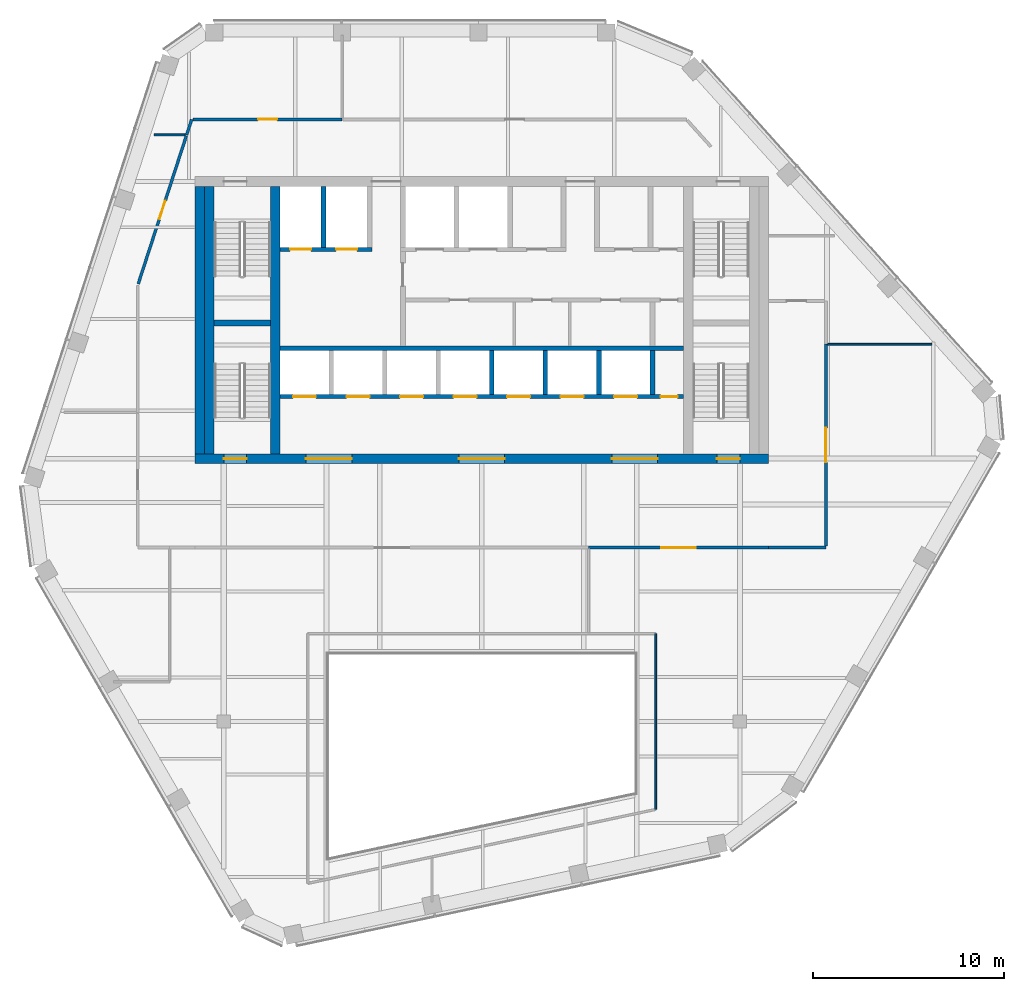
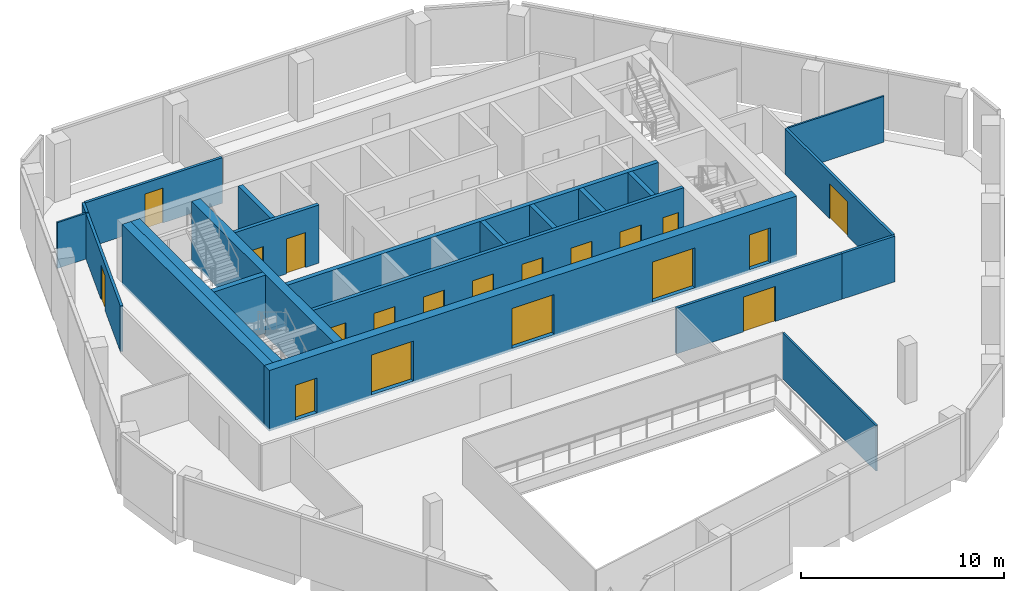
# One storey, part 8 of 15: 22 walls, 19 doors, 19 openings.
"""IFC4 building model written with IfcOpenShell, lengths in metres."""

from ifc_helpers import new_model, si_unit, direction, frame, frame_2d, origin, place, context, subcontext, project, spatial, rectangle, extrude, material, layer, layer_set, type_object, element, fill, save


model = new_model("IFC4")

# Units and contexts
model_context = context("Model", 3, precision=1e-05, world=origin(), true_north=direction((0.0, 1.0)))
body_context = subcontext(model_context, "Body", "Model", "MODEL_VIEW")
ifc_project = project(units=[si_unit("LENGTHUNIT", "METRE"), si_unit("AREAUNIT", "SQUARE_METRE"), si_unit("VOLUMEUNIT", "CUBIC_METRE"), si_unit("PLANEANGLEUNIT", "RADIAN"), si_unit("MASSUNIT", "GRAM", prefix="KILO")], contexts=[model_context])

# Site, building, storey
site_placement = place(None, origin())
site = spatial("IfcSite", under=ifc_project, at=site_placement, CompositionType="ELEMENT")
building_placement = place(site_placement, origin())
building = spatial("IfcBuilding", under=site, at=building_placement, Name="Isthmus Gate Tower", CompositionType="ELEMENT")
storey_placement = place(building_placement, frame((0.0, 0.0, 293.800048828125)))
storey = spatial("IfcBuildingStorey", under=building, at=storey_placement, Name="L75", CompositionType="ELEMENT", Elevation=293.800048828125)

# Wall
ifc_material_1 = material(Name="Fire-rated laminated glass in steel frame", Category="steel")
ifc_layer_1 = layer(ifc_material_1, 0.10009765625)
ifc_layer_set_1 = layer_set([ifc_layer_1], Name="ATRIUM SCREEN GLAZED WALL 100 120 MIN")
wall_type_1 = type_object("IfcWallType", Name="ATRIUM SCREEN GLAZED WALL 100 120 MIN", PredefinedType="PARTITIONING", material=ifc_layer_set_1)
wall_1_placement = place(storey_placement, frame((9.10009765625, -8.89990234375, 0.0), z_axis=(0.0, 0.0, 1.0), x_axis=(0.0, -1.0, 0.0)))
element("IfcWall", 1, at=wall_1_placement, inside=storey, type_object=wall_type_1, Name="L75 atrium screen", PredefinedType="PARTITIONING", context=body_context, shape_type="SweptSolid", body=[
    extrude(rectangle(XDim=9.200927734375, YDim=0.10009765625, at=frame_2d((4.6005859375, 0.0))), origin(), (0.0, 0.0, 1.0), 2.750732421875),
])

# Wall, opening, door
ifc_material_2 = material(Name="Gypsum board on steel studs, fire-rated", Category="steel")
ifc_layer_2 = layer(ifc_material_2, 0.14990234375)
ifc_layer_set_2 = layer_set([ifc_layer_2], Name="CORRIDOR WALL 150 60 MIN")
wall_type_2 = type_object("IfcWallType", Name="CORRIDOR WALL 150 60 MIN", PredefinedType="PARTITIONING", material=ifc_layer_set_2)
wall_2_placement = place(storey_placement, frame((15.0, -4.39990234375, 0.0), z_axis=(0.0, 0.0, 1.0), x_axis=(-1.0, 0.0, 0.0)))
wall_2 = element("IfcWall", 2, at=wall_2_placement, inside=storey, type_object=wall_type_2, Name="L75 Corridor Wall 150 60 Min", PredefinedType="PARTITIONING", context=body_context, shape_type="SweptSolid", body=[
    extrude(rectangle(XDim=9.409912109375, YDim=0.14990234375, at=frame_2d((4.705078125, 0.0))), origin(), (0.0, 0.0, 1.0), 2.750732421875),
])
opening_1_placement = place(wall_2_placement, frame((3.804931640625, 0.0, 0.0)))
opening_1 = element("IfcOpeningElement", 3, at=opening_1_placement, cuts=wall_2, Name="Opening DT-T6D-07", PredefinedType="OPENING", context=body_context, shape_type="SweptSolid", body=[
    extrude(rectangle(XDim=1.800048828125, YDim=2.10009765625, at=frame_2d((0.89990234375, 1.050048828125))), frame((0.0, 0.0849609375, 0.0), z_axis=(0.0, -1.0, 0.0), x_axis=(1.0, 0.0, 0.0)), (0.0, 0.0, 1.0), 0.169921875),
])
ifc_material_3 = material(Name="Solid core timber door leaf, fire-rated", Category="wood")
door_type_1 = type_object("IfcDoorType", Name="FIRE DOOR ROOM 1800 X 2100 60 MIN", OperationType="DOUBLE_DOOR_DOUBLE_SWING", PredefinedType="DOOR", material=ifc_material_3)
door_1_placement = place(opening_1_placement, origin())
door_1 = element("IfcDoor", 4, at=door_1_placement, inside=storey, type_object=door_type_1, Name="L75 room door", OperationType="DOUBLE_DOOR_DOUBLE_SWING", OverallHeight=2.10009765625, OverallWidth=1.800048828125, PredefinedType="DOOR", context=body_context, shape_type="SweptSolid", body=[
    extrude(rectangle(XDim=1.800048828125, YDim=2.10009765625, at=frame_2d((0.89990234375, 1.050048828125))), frame((0.0, 0.02490234375, 0.0), z_axis=(0.0, -1.0, 0.0), x_axis=(1.0, 0.0, 0.0)), (0.0, 0.0, 1.0), 0.050048828125),
])
fill(opening_1, door_1)

# Wall
wall_3_placement = place(storey_placement, frame((18.0, -4.39990234375, 0.0), z_axis=(0.0, 0.0, 1.0), x_axis=(-1.0, 0.0, 0.0)))
element("IfcWall", 5, at=wall_3_placement, inside=storey, type_object=wall_type_2, Name="L75 Corridor Wall 150 60 Min", PredefinedType="PARTITIONING", context=body_context, shape_type="SweptSolid", body=[
    extrude(rectangle(XDim=3.0, YDim=0.14990234375, at=frame_2d((1.5, 0.0))), origin(), (0.0, 0.0, 1.0), 2.750732421875),
])

# Wall, opening, door
wall_4_placement = place(storey_placement, frame((18.0, 6.237060546875, 0.0), z_axis=(0.0, 0.0, 1.0), x_axis=(0.0, -1.0, 0.0)))
wall_4 = element("IfcWall", 6, at=wall_4_placement, inside=storey, type_object=wall_type_2, Name="L75 Corridor Wall 150 60 Min", PredefinedType="PARTITIONING", context=body_context, shape_type="SweptSolid", body=[
    extrude(rectangle(XDim=10.56201171875, YDim=0.14990234375, at=frame_2d((5.281005859375, 0.0))), origin(), (0.0, 0.0, 1.0), 2.750732421875),
])
opening_2_placement = place(wall_4_placement, frame((4.381103515625, 0.0, 0.0)))
opening_2 = element("IfcOpeningElement", 7, at=opening_2_placement, cuts=wall_4, Name="Opening DT-T6D-06", PredefinedType="OPENING", context=body_context, shape_type="SweptSolid", body=[
    extrude(rectangle(XDim=1.800048828125, YDim=2.10009765625, at=frame_2d((0.89990234375, 1.050048828125))), frame((0.0, 0.0849609375, 0.0), z_axis=(0.0, -1.0, 0.0), x_axis=(1.0, 0.0, 0.0)), (0.0, 0.0, 1.0), 0.169921875),
])
door_2_placement = place(opening_2_placement, origin())
door_2 = element("IfcDoor", 8, at=door_2_placement, inside=storey, type_object=door_type_1, Name="L75 room door", OperationType="DOUBLE_DOOR_DOUBLE_SWING", OverallHeight=2.10009765625, OverallWidth=1.800048828125, PredefinedType="DOOR", context=body_context, shape_type="SweptSolid", body=[
    extrude(rectangle(XDim=1.800048828125, YDim=2.10009765625, at=frame_2d((0.89990234375, 1.050048828125))), frame((0.0, 0.02490234375, 0.0), z_axis=(0.0, -1.0, 0.0), x_axis=(1.0, 0.0, 0.0)), (0.0, 0.0, 1.0), 0.050048828125),
])
fill(opening_2, door_2)

# Wall
wall_5_placement = place(storey_placement, frame((-15.44189453125, 17.18701171875, 0.0), z_axis=(0.0, 0.0, 1.0), x_axis=(0.308763129345, 0.951138964588, 0.0)))
element("IfcWall", 9, at=wall_5_placement, inside=storey, type_object=wall_type_2, Name="L75 Corridor Wall 150 60 Min", PredefinedType="PARTITIONING", context=body_context, shape_type="SweptSolid", body=[
    extrude(rectangle(XDim=0.854736328125, YDim=0.14990234375, at=frame_2d((0.42724609375, 0.0))), origin(), (0.0, 0.0, 1.0), 2.750732421875),
])

# Wall, opening, door
wall_6_placement = place(storey_placement, frame((-15.10302734375, 18.0, 0.0), z_axis=(0.0, 0.0, 1.0), x_axis=(1.0, 0.0, 0.0)))
wall_6 = element("IfcWall", 10, at=wall_6_placement, inside=storey, type_object=wall_type_2, Name="L75 Corridor Wall 150 60 Min", PredefinedType="PARTITIONING", context=body_context, shape_type="SweptSolid", body=[
    extrude(rectangle(XDim=7.79296875, YDim=0.14990234375, at=frame_2d((3.896484375, 0.0))), origin(), (0.0, 0.0, 1.0), 2.750732421875),
])
opening_3_placement = place(wall_6_placement, frame((3.396484375, 0.0, 0.0)))
opening_3 = element("IfcOpeningElement", 11, at=opening_3_placement, cuts=wall_6, Name="Opening DT-T6D-01", PredefinedType="OPENING", context=body_context, shape_type="SweptSolid", body=[
    extrude(rectangle(XDim=1.0, YDim=2.10009765625, at=frame_2d((0.5, 1.050048828125))), frame((0.0, 0.0849609375, 0.0), z_axis=(0.0, -1.0, 0.0), x_axis=(1.0, 0.0, 0.0)), (0.0, 0.0, 1.0), 0.169921875),
])
ifc_material_4 = material(Name="Solid core timber door leaf, fire-rated", Category="wood")
door_type_2 = type_object("IfcDoorType", Name="FIRE DOOR ROOM 1000 X 2100 60 MIN", OperationType="SINGLE_SWING_LEFT", PredefinedType="DOOR", material=ifc_material_4)
door_3_placement = place(opening_3_placement, origin())
door_3 = element("IfcDoor", 12, at=door_3_placement, inside=storey, type_object=door_type_2, Name="L75 room door", OperationType="SINGLE_SWING_RIGHT", OverallHeight=2.10009765625, OverallWidth=1.0, PredefinedType="DOOR", context=body_context, shape_type="SweptSolid", body=[
    extrude(rectangle(XDim=1.0, YDim=2.10009765625, at=frame_2d((0.5, 1.050048828125))), frame((0.0, 0.02490234375, 0.0), z_axis=(0.0, -1.0, 0.0), x_axis=(1.0, 0.0, 0.0)), (0.0, 0.0, 1.0), 0.050048828125),
])
fill(opening_3, door_3)

wall_7_placement = place(storey_placement, frame((-17.976806640625, 9.38623046875, 0.0), z_axis=(0.0, 0.0, 1.0), x_axis=(0.309031221155, 0.951051893616, 0.0)))
wall_7 = element("IfcWall", 13, at=wall_7_placement, inside=storey, type_object=wall_type_2, Name="L75 Corridor Wall 150 60 Min", PredefinedType="PARTITIONING", context=body_context, shape_type="SweptSolid", body=[
    extrude(rectangle(XDim=8.152099609375, YDim=0.14990234375, at=frame_2d((4.076171875, 0.0))), origin(), (0.0, 0.0, 1.0), 2.750732421875),
])
opening_4_placement = place(wall_7_placement, frame((3.576171875, 0.0, 0.0)))
opening_4 = element("IfcOpeningElement", 14, at=opening_4_placement, cuts=wall_7, Name="Opening DT-T6D-03", PredefinedType="OPENING", context=body_context, shape_type="SweptSolid", body=[
    extrude(rectangle(XDim=1.0, YDim=2.10009765625, at=frame_2d((0.5, 1.050048828125))), frame((0.0, 0.0849609375, 0.0), z_axis=(0.0, -1.0, 0.0), x_axis=(1.0, 0.0, 0.0)), (0.0, 0.0, 1.0), 0.169921875),
])
door_4_placement = place(opening_4_placement, origin())
door_4 = element("IfcDoor", 15, at=door_4_placement, inside=storey, type_object=door_type_2, Name="L75 room door", OperationType="SINGLE_SWING_RIGHT", OverallHeight=2.10009765625, OverallWidth=1.0, PredefinedType="DOOR", context=body_context, shape_type="SweptSolid", body=[
    extrude(rectangle(XDim=1.0, YDim=2.10009765625, at=frame_2d((0.5, 1.050048828125))), frame((0.0, 0.02490234375, 0.0), z_axis=(0.0, -1.0, 0.0), x_axis=(1.0, 0.0, 0.0)), (0.0, 0.0, 1.0), 0.050048828125),
])
fill(opening_4, door_4)

# Wall
ifc_material_5 = material(Name="Concrete f'c 50 MPa", Category="concrete")
ifc_layer_3 = layer(ifc_material_5, 0.5)
ifc_layer_set_3 = layer_set([ifc_layer_3], Name="RC CORE SPINE WALL 500 F'C 50")
wall_type_3 = type_object("IfcWallType", Name="RC CORE SPINE WALL 500 F'C 50", PredefinedType="SOLIDWALL", material=ifc_layer_set_3)
wall_8_placement = place(storey_placement, frame((-10.800048828125, 0.5, -0.150146484375), z_axis=(0.0, 0.0, 1.0), x_axis=(0.0, 1.0, 0.0)))
element("IfcWall", 16, at=wall_8_placement, inside=storey, type_object=wall_type_3, Name="str-corewall-L75-SPW", PredefinedType="SOLIDWALL", context=body_context, shape_type="SweptSolid", body=[
    extrude(rectangle(XDim=14.0, YDim=0.5, at=frame_2d((7.0, 0.0))), origin(), (0.0, 0.0, 1.0), 3.650146484375),
])

# Wall, openings, doors
ifc_material_6 = material(Name="Concrete f'c 50 MPa", Category="concrete")
ifc_layer_4 = layer(ifc_material_6, 0.5)
ifc_layer_set_4 = layer_set([ifc_layer_4], Name="RC CORE WALL 500 F'C 50")
wall_type_4 = type_object("IfcWallType", Name="RC CORE WALL 500 F'C 50", PredefinedType="SOLIDWALL", material=ifc_layer_set_4)
wall_9_placement = place(storey_placement, frame((-15.0, 0.25, -0.150146484375), z_axis=(0.0, 0.0, 1.0), x_axis=(1.0, 0.0, 0.0)))
wall_9 = element("IfcWall", 17, at=wall_9_placement, inside=storey, type_object=wall_type_4, Name="str-corewall-L75-S", PredefinedType="SOLIDWALL", context=body_context, shape_type="SweptSolid", body=[
    extrude(rectangle(XDim=30.0, YDim=0.5, at=frame_2d((15.0, 0.0))), origin(), (0.0, 0.0, 1.0), 3.650146484375),
])
opening_5_placement = place(wall_9_placement, frame((5.800048828125, 0.0, 0.14990234375)))
opening_5 = element("IfcOpeningElement", 18, at=opening_5_placement, cuts=wall_9, Name="Opening DC-A17-10", PredefinedType="OPENING", context=body_context, shape_type="SweptSolid", body=[
    extrude(rectangle(XDim=2.39990234375, YDim=2.39990234375, at=frame_2d((1.199951171875, 1.199951171875))), frame((0.0, 0.260009765625, 0.0), z_axis=(0.0, -1.0, 0.0), x_axis=(1.0, 0.0, 0.0)), (0.0, 0.0, 1.0), 0.52001953125),
])
opening_6_placement = place(wall_9_placement, frame((13.800048828125, 0.0, 0.14990234375)))
opening_6 = element("IfcOpeningElement", 19, at=opening_6_placement, cuts=wall_9, Name="Opening DC-A17-11", PredefinedType="OPENING", context=body_context, shape_type="SweptSolid", body=[
    extrude(rectangle(XDim=2.39990234375, YDim=2.39990234375, at=frame_2d((1.199951171875, 1.199951171875))), frame((0.0, 0.260009765625, 0.0), z_axis=(0.0, -1.0, 0.0), x_axis=(1.0, 0.0, 0.0)), (0.0, 0.0, 1.0), 0.52001953125),
])
opening_7_placement = place(wall_9_placement, frame((21.800048828125, 0.0, 0.14990234375)))
opening_7 = element("IfcOpeningElement", 20, at=opening_7_placement, cuts=wall_9, Name="Opening DC-A17-12", PredefinedType="OPENING", context=body_context, shape_type="SweptSolid", body=[
    extrude(rectangle(XDim=2.39990234375, YDim=2.39990234375, at=frame_2d((1.199951171875, 1.199951171875))), frame((0.0, 0.260009765625, 0.0), z_axis=(0.0, -1.0, 0.0), x_axis=(1.0, 0.0, 0.0)), (0.0, 0.0, 1.0), 0.52001953125),
])
opening_8_placement = place(wall_9_placement, frame((1.5, 0.0, 0.14990234375)))
opening_8 = element("IfcOpeningElement", 21, at=opening_8_placement, cuts=wall_9, Name="Opening DC-A17-17", PredefinedType="OPENING", context=body_context, shape_type="SweptSolid", body=[
    extrude(rectangle(XDim=1.199951171875, YDim=2.10009765625, at=frame_2d((0.60009765625, 1.050048828125))), frame((0.0, 0.260009765625, 0.0), z_axis=(0.0, -1.0, 0.0), x_axis=(1.0, 0.0, 0.0)), (0.0, 0.0, 1.0), 0.52001953125),
])
opening_9_placement = place(wall_9_placement, frame((27.300048828125, 0.0, 0.14990234375)))
opening_9 = element("IfcOpeningElement", 22, at=opening_9_placement, cuts=wall_9, Name="Opening DC-A17-18", PredefinedType="OPENING", context=body_context, shape_type="SweptSolid", body=[
    extrude(rectangle(XDim=1.199951171875, YDim=2.10009765625, at=frame_2d((0.60009765625, 1.050048828125))), frame((0.0, 0.260009765625, 0.0), z_axis=(0.0, -1.0, 0.0), x_axis=(1.0, 0.0, 0.0)), (0.0, 0.0, 1.0), 0.52001953125),
])
ifc_material_7 = material(Name="Laminated safety glass in steel frame, fire-rated", Category="steel")
door_type_3 = type_object("IfcDoorType", Name="LOBBY ENTRANCE FIRE DOOR 2400 X 2400 60 MIN", OperationType="DOUBLE_DOOR_DOUBLE_SWING", PredefinedType="DOOR", material=ifc_material_7)
door_5_placement = place(opening_5_placement, origin())
door_5 = element("IfcDoor", 23, at=door_5_placement, inside=storey, type_object=door_type_3, Name="Lobby Entrance PS-W", OperationType="DOUBLE_DOOR_DOUBLE_SWING", OverallHeight=2.39990234375, OverallWidth=2.39990234375, PredefinedType="DOOR", context=body_context, shape_type="SweptSolid", body=[
    extrude(rectangle(XDim=2.39990234375, YDim=2.39990234375, at=frame_2d((1.199951171875, 1.199951171875))), frame((0.0, 0.02490234375, 0.0), z_axis=(0.0, -1.0, 0.0), x_axis=(1.0, 0.0, 0.0)), (0.0, 0.0, 1.0), 0.050048828125),
])
fill(opening_5, door_5)
door_6_placement = place(opening_6_placement, origin())
door_6 = element("IfcDoor", 24, at=door_6_placement, inside=storey, type_object=door_type_3, Name="Lobby Entrance PS-C", OperationType="DOUBLE_DOOR_DOUBLE_SWING", OverallHeight=2.39990234375, OverallWidth=2.39990234375, PredefinedType="DOOR", context=body_context, shape_type="SweptSolid", body=[
    extrude(rectangle(XDim=2.39990234375, YDim=2.39990234375, at=frame_2d((1.199951171875, 1.199951171875))), frame((0.0, 0.02490234375, 0.0), z_axis=(0.0, -1.0, 0.0), x_axis=(1.0, 0.0, 0.0)), (0.0, 0.0, 1.0), 0.050048828125),
])
fill(opening_6, door_6)
door_7_placement = place(opening_7_placement, origin())
door_7 = element("IfcDoor", 25, at=door_7_placement, inside=storey, type_object=door_type_3, Name="Lobby Entrance PS-E", OperationType="DOUBLE_DOOR_DOUBLE_SWING", OverallHeight=2.39990234375, OverallWidth=2.39990234375, PredefinedType="DOOR", context=body_context, shape_type="SweptSolid", body=[
    extrude(rectangle(XDim=2.39990234375, YDim=2.39990234375, at=frame_2d((1.199951171875, 1.199951171875))), frame((0.0, 0.02490234375, 0.0), z_axis=(0.0, -1.0, 0.0), x_axis=(1.0, 0.0, 0.0)), (0.0, 0.0, 1.0), 0.050048828125),
])
fill(opening_7, door_7)
ifc_material_8 = material(Name="Steel door leaf, fire-rated", Category="steel")
door_type_4 = type_object("IfcDoorType", Name="STAIR FIRE DOOR 1200 X 2100 90 MIN", OperationType="SINGLE_SWING_LEFT", PredefinedType="DOOR", material=ifc_material_8)
door_8_placement = place(opening_8_placement, origin())
door_8 = element("IfcDoor", 26, at=door_8_placement, inside=storey, type_object=door_type_4, Name="Exit Stair 7 Door", OperationType="SINGLE_SWING_LEFT", OverallHeight=2.10009765625, OverallWidth=1.199951171875, PredefinedType="DOOR", context=body_context, shape_type="SweptSolid", body=[
    extrude(rectangle(XDim=1.199951171875, YDim=2.10009765625, at=frame_2d((0.60009765625, 1.050048828125))), frame((0.0, 0.02490234375, 0.0), z_axis=(0.0, -1.0, 0.0), x_axis=(1.0, 0.0, 0.0)), (0.0, 0.0, 1.0), 0.050048828125),
])
fill(opening_8, door_8)
door_9_placement = place(opening_9_placement, origin())
door_9 = element("IfcDoor", 27, at=door_9_placement, inside=storey, type_object=door_type_4, Name="Exit Stair 8 Door", OperationType="SINGLE_SWING_RIGHT", OverallHeight=2.10009765625, OverallWidth=1.199951171875, PredefinedType="DOOR", context=body_context, shape_type="SweptSolid", body=[
    extrude(rectangle(XDim=1.199951171875, YDim=2.10009765625, at=frame_2d((0.60009765625, 1.050048828125))), frame((0.0, 0.02490234375, 0.0), z_axis=(0.0, -1.0, 0.0), x_axis=(1.0, 0.0, 0.0)), (0.0, 0.0, 1.0), 0.050048828125),
])
fill(opening_9, door_9)

# Walls
wall_10_placement = place(storey_placement, frame((-14.75, 0.5, -0.150146484375), z_axis=(0.0, 0.0, 1.0), x_axis=(0.0, 1.0, 0.0)))
element("IfcWall", 28, at=wall_10_placement, inside=storey, type_object=wall_type_4, Name="str-corewall-L75-W", PredefinedType="SOLIDWALL", context=body_context, shape_type="SweptSolid", body=[
    extrude(rectangle(XDim=14.0, YDim=0.5, at=frame_2d((7.0, 0.0))), origin(), (0.0, 0.0, 1.0), 3.650146484375),
])
ifc_material_9 = material(Name="Gypsum board on steel studs, fire-rated", Category="steel")
ifc_layer_5 = layer(ifc_material_9, 0.10009765625)
ifc_layer_set_5 = layer_set([ifc_layer_5], Name="ROOM PARTITION 100 30 MIN")
wall_type_5 = type_object("IfcWallType", Name="ROOM PARTITION 100 30 MIN", PredefinedType="PARTITIONING", material=ifc_layer_set_5)
wall_11_placement = place(storey_placement, frame((-17.139892578125, 17.18701171875, 0.0), z_axis=(0.0, 0.0, 1.0), x_axis=(1.0, 0.0, 0.0)))
element("IfcWall", 29, at=wall_11_placement, inside=storey, type_object=wall_type_5, Name="L75 Room Partition 100 30 Min", PredefinedType="PARTITIONING", context=body_context, shape_type="SweptSolid", body=[
    extrude(rectangle(XDim=1.622802734375, YDim=0.10009765625, at=frame_2d((0.8115234375, 0.0))), origin(), (0.0, 0.0, 1.0), 2.750732421875),
])
wall_12_placement = place(storey_placement, frame((18.074951171875, 6.237060546875, 0.0), z_axis=(0.0, 0.0, 1.0), x_axis=(1.0, 0.0, 0.0)))
element("IfcWall", 30, at=wall_12_placement, inside=storey, type_object=wall_type_5, Name="L75 Room Partition 100 30 Min", PredefinedType="PARTITIONING", context=body_context, shape_type="SweptSolid", body=[
    extrude(rectangle(XDim=5.47509765625, YDim=0.10009765625, at=frame_2d((2.737548828125, 0.0))), origin(), (0.0, 0.0, 1.0), 2.750732421875),
])

# Wall, openings, doors
ifc_material_10 = material(Name="Fire-rated blockwork masonry, 15 MPa", Category="masonry")
ifc_layer_6 = layer(ifc_material_10, 0.199951171875)
ifc_layer_set_6 = layer_set([ifc_layer_6], Name="SHAFT FRONT WALL 200 120 MIN")
wall_type_6 = type_object("IfcWallType", Name="SHAFT FRONT WALL 200 120 MIN", PredefinedType="PARTITIONING", material=ifc_layer_set_6)
wall_13_placement = place(storey_placement, frame((-10.550048828125, 3.5, 0.0), z_axis=(0.0, 0.0, 1.0), x_axis=(1.0, 0.0, 0.0)))
wall_13 = element("IfcWall", 31, at=wall_13_placement, inside=storey, type_object=wall_type_6, Name="L75 SHAFT FRONT WALL 200 120 MIN", PredefinedType="PARTITIONING", context=body_context, shape_type="SweptSolid", body=[
    extrude(rectangle(XDim=21.10009765625, YDim=0.199951171875, at=frame_2d((10.550048828125, 0.0))), origin(), (0.0, 0.0, 1.0), 3.5),
])
opening_10_placement = place(wall_13_placement, frame((0.675048828125, 0.0, 0.0)))
opening_10 = element("IfcOpeningElement", 32, at=opening_10_placement, cuts=wall_13, Name="Opening LD-LC1", PredefinedType="OPENING", context=body_context, shape_type="SweptSolid", body=[
    extrude(rectangle(XDim=1.199951171875, YDim=2.10009765625, at=frame_2d((0.60009765625, 1.050048828125))), frame((0.0, 0.10986328125, 0.0), z_axis=(0.0, -1.0, 0.0), x_axis=(1.0, 0.0, 0.0)), (0.0, 0.0, 1.0), 0.219970703125),
])
opening_11_placement = place(wall_13_placement, frame((3.47509765625, 0.0, 0.0)))
opening_11 = element("IfcOpeningElement", 33, at=opening_11_placement, cuts=wall_13, Name="Opening LD-LC2", PredefinedType="OPENING", context=body_context, shape_type="SweptSolid", body=[
    extrude(rectangle(XDim=1.199951171875, YDim=2.10009765625, at=frame_2d((0.60009765625, 1.050048828125))), frame((0.0, 0.10986328125, 0.0), z_axis=(0.0, -1.0, 0.0), x_axis=(1.0, 0.0, 0.0)), (0.0, 0.0, 1.0), 0.219970703125),
])
opening_12_placement = place(wall_13_placement, frame((6.27490234375, 0.0, 0.0)))
opening_12 = element("IfcOpeningElement", 34, at=opening_12_placement, cuts=wall_13, Name="Opening LD-LC3", PredefinedType="OPENING", context=body_context, shape_type="SweptSolid", body=[
    extrude(rectangle(XDim=1.199951171875, YDim=2.10009765625, at=frame_2d((0.60009765625, 1.050048828125))), frame((0.0, 0.10986328125, 0.0), z_axis=(0.0, -1.0, 0.0), x_axis=(1.0, 0.0, 0.0)), (0.0, 0.0, 1.0), 0.219970703125),
])
opening_13_placement = place(wall_13_placement, frame((9.074951171875, 0.0, 0.0)))
opening_13 = element("IfcOpeningElement", 35, at=opening_13_placement, cuts=wall_13, Name="Opening LD-LC4", PredefinedType="OPENING", context=body_context, shape_type="SweptSolid", body=[
    extrude(rectangle(XDim=1.199951171875, YDim=2.10009765625, at=frame_2d((0.60009765625, 1.050048828125))), frame((0.0, 0.10986328125, 0.0), z_axis=(0.0, -1.0, 0.0), x_axis=(1.0, 0.0, 0.0)), (0.0, 0.0, 1.0), 0.219970703125),
])
opening_14_placement = place(wall_13_placement, frame((11.875, 0.0, 0.0)))
opening_14 = element("IfcOpeningElement", 36, at=opening_14_placement, cuts=wall_13, Name="Opening LD-LC5", PredefinedType="OPENING", context=body_context, shape_type="SweptSolid", body=[
    extrude(rectangle(XDim=1.199951171875, YDim=2.10009765625, at=frame_2d((0.60009765625, 1.050048828125))), frame((0.0, 0.10986328125, 0.0), z_axis=(0.0, -1.0, 0.0), x_axis=(1.0, 0.0, 0.0)), (0.0, 0.0, 1.0), 0.219970703125),
])
opening_15_placement = place(wall_13_placement, frame((14.675048828125, 0.0, 0.0)))
opening_15 = element("IfcOpeningElement", 37, at=opening_15_placement, cuts=wall_13, Name="Opening LD-LC6", PredefinedType="OPENING", context=body_context, shape_type="SweptSolid", body=[
    extrude(rectangle(XDim=1.199951171875, YDim=2.10009765625, at=frame_2d((0.60009765625, 1.050048828125))), frame((0.0, 0.10986328125, 0.0), z_axis=(0.0, -1.0, 0.0), x_axis=(1.0, 0.0, 0.0)), (0.0, 0.0, 1.0), 0.219970703125),
])
opening_16_placement = place(wall_13_placement, frame((17.47509765625, 0.0, 0.0)))
opening_16 = element("IfcOpeningElement", 38, at=opening_16_placement, cuts=wall_13, Name="Opening LD-LC7", PredefinedType="OPENING", context=body_context, shape_type="SweptSolid", body=[
    extrude(rectangle(XDim=1.199951171875, YDim=2.10009765625, at=frame_2d((0.60009765625, 1.050048828125))), frame((0.0, 0.10986328125, 0.0), z_axis=(0.0, -1.0, 0.0), x_axis=(1.0, 0.0, 0.0)), (0.0, 0.0, 1.0), 0.219970703125),
])
opening_17_placement = place(wall_13_placement, frame((19.89990234375, 0.0, 0.0)))
opening_17 = element("IfcOpeningElement", 39, at=opening_17_placement, cuts=wall_13, Name="Opening DC-A17-02", PredefinedType="OPENING", context=body_context, shape_type="SweptSolid", body=[
    extrude(rectangle(XDim=0.89990234375, YDim=2.10009765625, at=frame_2d((0.449951171875, 1.050048828125))), frame((0.0, 0.10986328125, 0.0), z_axis=(0.0, -1.0, 0.0), x_axis=(1.0, 0.0, 0.0)), (0.0, 0.0, 1.0), 0.219970703125),
])
ifc_material_11 = material(Name="Stainless steel sliding leaf", Category="steel")
door_type_5 = type_object("IfcDoorType", Name="LIFT LANDING FIRE DOOR 1200 X 2100 90 MIN", OperationType="DOUBLE_DOOR_SLIDING", PredefinedType="DOOR", material=ifc_material_11)
door_10_placement = place(opening_10_placement, origin())
door_10 = element("IfcDoor", 40, at=door_10_placement, inside=storey, type_object=door_type_5, Name="Lift Landing Door LC1", OperationType="DOUBLE_DOOR_SLIDING", OverallHeight=2.10009765625, OverallWidth=1.199951171875, PredefinedType="DOOR", context=body_context, shape_type="SweptSolid", body=[
    extrude(rectangle(XDim=1.199951171875, YDim=2.10009765625, at=frame_2d((0.60009765625, 1.050048828125))), frame((0.0, 0.02490234375, 0.0), z_axis=(0.0, -1.0, 0.0), x_axis=(1.0, 0.0, 0.0)), (0.0, 0.0, 1.0), 0.050048828125),
])
fill(opening_10, door_10)
door_11_placement = place(opening_11_placement, origin())
door_11 = element("IfcDoor", 41, at=door_11_placement, inside=storey, type_object=door_type_5, Name="Lift Landing Door LC2", OperationType="DOUBLE_DOOR_SLIDING", OverallHeight=2.10009765625, OverallWidth=1.199951171875, PredefinedType="DOOR", context=body_context, shape_type="SweptSolid", body=[
    extrude(rectangle(XDim=1.199951171875, YDim=2.10009765625, at=frame_2d((0.60009765625, 1.050048828125))), frame((0.0, 0.02490234375, 0.0), z_axis=(0.0, -1.0, 0.0), x_axis=(1.0, 0.0, 0.0)), (0.0, 0.0, 1.0), 0.050048828125),
])
fill(opening_11, door_11)
door_12_placement = place(opening_12_placement, origin())
door_12 = element("IfcDoor", 42, at=door_12_placement, inside=storey, type_object=door_type_5, Name="Lift Landing Door LC3", OperationType="DOUBLE_DOOR_SLIDING", OverallHeight=2.10009765625, OverallWidth=1.199951171875, PredefinedType="DOOR", context=body_context, shape_type="SweptSolid", body=[
    extrude(rectangle(XDim=1.199951171875, YDim=2.10009765625, at=frame_2d((0.60009765625, 1.050048828125))), frame((0.0, 0.02490234375, 0.0), z_axis=(0.0, -1.0, 0.0), x_axis=(1.0, 0.0, 0.0)), (0.0, 0.0, 1.0), 0.050048828125),
])
fill(opening_12, door_12)
door_13_placement = place(opening_13_placement, origin())
door_13 = element("IfcDoor", 43, at=door_13_placement, inside=storey, type_object=door_type_5, Name="Lift Landing Door LC4", OperationType="DOUBLE_DOOR_SLIDING", OverallHeight=2.10009765625, OverallWidth=1.199951171875, PredefinedType="DOOR", context=body_context, shape_type="SweptSolid", body=[
    extrude(rectangle(XDim=1.199951171875, YDim=2.10009765625, at=frame_2d((0.60009765625, 1.050048828125))), frame((0.0, 0.02490234375, 0.0), z_axis=(0.0, -1.0, 0.0), x_axis=(1.0, 0.0, 0.0)), (0.0, 0.0, 1.0), 0.050048828125),
])
fill(opening_13, door_13)
door_14_placement = place(opening_14_placement, origin())
door_14 = element("IfcDoor", 44, at=door_14_placement, inside=storey, type_object=door_type_5, Name="Lift Landing Door LC5", OperationType="DOUBLE_DOOR_SLIDING", OverallHeight=2.10009765625, OverallWidth=1.199951171875, PredefinedType="DOOR", context=body_context, shape_type="SweptSolid", body=[
    extrude(rectangle(XDim=1.199951171875, YDim=2.10009765625, at=frame_2d((0.60009765625, 1.050048828125))), frame((0.0, 0.02490234375, 0.0), z_axis=(0.0, -1.0, 0.0), x_axis=(1.0, 0.0, 0.0)), (0.0, 0.0, 1.0), 0.050048828125),
])
fill(opening_14, door_14)
door_15_placement = place(opening_15_placement, origin())
door_15 = element("IfcDoor", 45, at=door_15_placement, inside=storey, type_object=door_type_5, Name="Lift Landing Door LC6", OperationType="DOUBLE_DOOR_SLIDING", OverallHeight=2.10009765625, OverallWidth=1.199951171875, PredefinedType="DOOR", context=body_context, shape_type="SweptSolid", body=[
    extrude(rectangle(XDim=1.199951171875, YDim=2.10009765625, at=frame_2d((0.60009765625, 1.050048828125))), frame((0.0, 0.02490234375, 0.0), z_axis=(0.0, -1.0, 0.0), x_axis=(1.0, 0.0, 0.0)), (0.0, 0.0, 1.0), 0.050048828125),
])
fill(opening_15, door_15)
door_16_placement = place(opening_16_placement, origin())
door_16 = element("IfcDoor", 46, at=door_16_placement, inside=storey, type_object=door_type_5, Name="Lift Landing Door LC7", OperationType="DOUBLE_DOOR_SLIDING", OverallHeight=2.10009765625, OverallWidth=1.199951171875, PredefinedType="DOOR", context=body_context, shape_type="SweptSolid", body=[
    extrude(rectangle(XDim=1.199951171875, YDim=2.10009765625, at=frame_2d((0.60009765625, 1.050048828125))), frame((0.0, 0.02490234375, 0.0), z_axis=(0.0, -1.0, 0.0), x_axis=(1.0, 0.0, 0.0)), (0.0, 0.0, 1.0), 0.050048828125),
])
fill(opening_16, door_16)
ifc_material_12 = material(Name="Steel door leaf, fire-rated", Category="steel")
door_type_6 = type_object("IfcDoorType", Name="RISER FIRE DOOR 900 X 2100 90 MIN", OperationType="SINGLE_SWING_LEFT", PredefinedType="DOOR", material=ifc_material_12)
door_17_placement = place(opening_17_placement, origin())
door_17 = element("IfcDoor", 47, at=door_17_placement, inside=storey, type_object=door_type_6, Name="Riser Door", OperationType="SINGLE_SWING_RIGHT", OverallHeight=2.10009765625, OverallWidth=0.89990234375, PredefinedType="DOOR", context=body_context, shape_type="SweptSolid", body=[
    extrude(rectangle(XDim=0.89990234375, YDim=2.10009765625, at=frame_2d((0.449951171875, 1.050048828125))), frame((0.0, 0.02490234375, 0.0), z_axis=(0.0, -1.0, 0.0), x_axis=(1.0, 0.0, 0.0)), (0.0, 0.0, 1.0), 0.050048828125),
])
fill(opening_17, door_17)

wall_14_placement = place(storey_placement, frame((-10.550048828125, 11.199951171875, 0.0), z_axis=(0.0, 0.0, 1.0), x_axis=(1.0, 0.0, 0.0)))
wall_14 = element("IfcWall", 48, at=wall_14_placement, inside=storey, type_object=wall_type_6, Name="L75 SHAFT FRONT WALL 200 120 MIN", PredefinedType="PARTITIONING", context=body_context, shape_type="SweptSolid", body=[
    extrude(rectangle(XDim=4.800048828125, YDim=0.199951171875, at=frame_2d((2.39990234375, 0.0))), origin(), (0.0, 0.0, 1.0), 3.5),
])
opening_18_placement = place(wall_14_placement, frame((0.52490234375, 0.0, 0.0)))
opening_18 = element("IfcOpeningElement", 49, at=opening_18_placement, cuts=wall_14, Name="Opening LD-LF1", PredefinedType="OPENING", context=body_context, shape_type="SweptSolid", body=[
    extrude(rectangle(XDim=1.10009765625, YDim=2.10009765625, at=frame_2d((0.550048828125, 1.050048828125))), frame((0.0, 0.10986328125, 0.0), z_axis=(0.0, -1.0, 0.0), x_axis=(1.0, 0.0, 0.0)), (0.0, 0.0, 1.0), 0.219970703125),
])
opening_19_placement = place(wall_14_placement, frame((2.925048828125, 0.0, 0.0)))
opening_19 = element("IfcOpeningElement", 50, at=opening_19_placement, cuts=wall_14, Name="Opening LD-LF2", PredefinedType="OPENING", context=body_context, shape_type="SweptSolid", body=[
    extrude(rectangle(XDim=1.10009765625, YDim=2.10009765625, at=frame_2d((0.550048828125, 1.050048828125))), frame((0.0, 0.10986328125, 0.0), z_axis=(0.0, -1.0, 0.0), x_axis=(1.0, 0.0, 0.0)), (0.0, 0.0, 1.0), 0.219970703125),
])
ifc_material_13 = material(Name="Stainless steel sliding leaf", Category="steel")
door_type_7 = type_object("IfcDoorType", Name="LIFT LANDING FIRE DOOR 1100 X 2100 90 MIN", OperationType="DOUBLE_DOOR_SLIDING", PredefinedType="DOOR", material=ifc_material_13)
door_18_placement = place(opening_18_placement, origin())
door_18 = element("IfcDoor", 51, at=door_18_placement, inside=storey, type_object=door_type_7, Name="Lift Landing Door LF1", OperationType="DOUBLE_DOOR_SLIDING", OverallHeight=2.10009765625, OverallWidth=1.10009765625, PredefinedType="DOOR", context=body_context, shape_type="SweptSolid", body=[
    extrude(rectangle(XDim=1.10009765625, YDim=2.10009765625, at=frame_2d((0.550048828125, 1.050048828125))), frame((0.0, 0.02490234375, 0.0), z_axis=(0.0, -1.0, 0.0), x_axis=(1.0, 0.0, 0.0)), (0.0, 0.0, 1.0), 0.050048828125),
])
fill(opening_18, door_18)
door_19_placement = place(opening_19_placement, origin())
door_19 = element("IfcDoor", 52, at=door_19_placement, inside=storey, type_object=door_type_7, Name="Lift Landing Door LF2", OperationType="DOUBLE_DOOR_SLIDING", OverallHeight=2.10009765625, OverallWidth=1.10009765625, PredefinedType="DOOR", context=body_context, shape_type="SweptSolid", body=[
    extrude(rectangle(XDim=1.10009765625, YDim=2.10009765625, at=frame_2d((0.550048828125, 1.050048828125))), frame((0.0, 0.02490234375, 0.0), z_axis=(0.0, -1.0, 0.0), x_axis=(1.0, 0.0, 0.0)), (0.0, 0.0, 1.0), 0.050048828125),
])
fill(opening_19, door_19)

# Walls
ifc_material_14 = material(Name="Fire-rated blockwork masonry, 15 MPa", Category="masonry")
ifc_layer_7 = layer(ifc_material_14, 0.25)
ifc_layer_set_7 = layer_set([ifc_layer_7], Name="SHAFT WALL 250 120 MIN")
wall_type_7 = type_object("IfcWallType", Name="SHAFT WALL 250 120 MIN", PredefinedType="PARTITIONING", material=ifc_layer_set_7)
wall_15_placement = place(storey_placement, frame((-10.550048828125, 6.02490234375, 0.0), z_axis=(0.0, 0.0, 1.0), x_axis=(1.0, 0.0, 0.0)))
element("IfcWall", 53, at=wall_15_placement, inside=storey, type_object=wall_type_7, Name="L75 SHAFT WALL 250 120 MIN", PredefinedType="PARTITIONING", context=body_context, shape_type="SweptSolid", body=[
    extrude(rectangle(XDim=21.10009765625, YDim=0.25, at=frame_2d((10.550048828125, 0.0))), origin(), (0.0, 0.0, 1.0), 3.5),
])
for number, where, z_axis, x_axis, name in (
    (54, (0.52490234375, 3.60009765625, 0.0), (0.0, 0.0, 1.0), (0.0, 1.0, 0.0), "L75 SHAFT WALL 250 120 MIN"),
    (55, (3.324951171875, 3.60009765625, 0.0), (0.0, 0.0, 1.0), (0.0, 1.0, 0.0), "L75 SHAFT WALL 250 120 MIN"),
    (56, (6.125, 3.60009765625, 0.0), (0.0, 0.0, 1.0), (0.0, 1.0, 0.0), "L75 SHAFT WALL 250 120 MIN"),
    (57, (8.925048828125, 3.60009765625, 0.0), (0.0, 0.0, 1.0), (0.0, 1.0, 0.0), "L75 SHAFT WALL 250 120 MIN"),
):
    element("IfcWall", number, at=place(storey_placement, frame(where, z_axis=z_axis, x_axis=x_axis)), inside=storey, type_object=wall_type_7, Name=name, PredefinedType="PARTITIONING", context=body_context, shape_type="SweptSolid", body=[
        extrude(rectangle(XDim=2.2998046875, YDim=0.25, at=frame_2d((1.14990234375, 0.0))), origin(), (0.0, 0.0, 1.0), 3.5),
    ])
wall_16_placement = place(storey_placement, frame((-8.27490234375, 11.300048828125, 0.0), z_axis=(0.0, 0.0, 1.0), x_axis=(0.0, 1.0, 0.0)))
element("IfcWall", 58, at=wall_16_placement, inside=storey, type_object=wall_type_7, Name="L75 SHAFT WALL 250 120 MIN", PredefinedType="PARTITIONING", context=body_context, shape_type="SweptSolid", body=[
    extrude(rectangle(XDim=3.199951171875, YDim=0.25, at=frame_2d((1.60009765625, 0.0))), origin(), (0.0, 0.0, 1.0), 3.5),
])
ifc_material_15 = material(Name="Concrete f'c 40 MPa", Category="concrete")
ifc_layer_8 = layer(ifc_material_15, 0.300048828125)
ifc_layer_set_8 = layer_set([ifc_layer_8], Name="STAIR ENCLOSURE WALL 300 180 MIN")
wall_type_8 = type_object("IfcWallType", Name="STAIR ENCLOSURE WALL 300 180 MIN", PredefinedType="SOLIDWALL", material=ifc_layer_set_8)
wall_17_placement = place(storey_placement, frame((-14.0, 7.35009765625, 0.0), z_axis=(0.0, 0.0, 1.0), x_axis=(1.0, 0.0, 0.0)))
element("IfcWall", 59, at=wall_17_placement, inside=storey, type_object=wall_type_8, Name="L75 STAIR ENCLOSURE WALL 300 180 MIN", PredefinedType="SOLIDWALL", context=body_context, shape_type="SweptSolid", body=[
    extrude(rectangle(XDim=2.949951171875, YDim=0.300048828125, at=frame_2d((1.47509765625, 0.0))), origin(), (0.0, 0.0, 1.0), 3.5),
])
ifc_material_16 = material(Name="Concrete f'c 40 MPa", Category="concrete")
ifc_layer_9 = layer(ifc_material_16, 0.5)
ifc_layer_set_9 = layer_set([ifc_layer_9], Name="STAIR ENCLOSURE WALL 500 180 MIN")
wall_type_9 = type_object("IfcWallType", Name="STAIR ENCLOSURE WALL 500 180 MIN", PredefinedType="SOLIDWALL", material=ifc_layer_set_9)
wall_18_placement = place(storey_placement, frame((-14.25, 0.5, 0.0), z_axis=(0.0, 0.0, 1.0), x_axis=(0.0, 1.0, 0.0)))
element("IfcWall", 60, at=wall_18_placement, inside=storey, type_object=wall_type_9, Name="L75 STAIR ENCLOSURE WALL 500 180 MIN", PredefinedType="SOLIDWALL", context=body_context, shape_type="SweptSolid", body=[
    extrude(rectangle(XDim=14.0, YDim=0.5, at=frame_2d((7.0, 0.0))), origin(), (0.0, 0.0, 1.0), 3.5),
])

save(model, "model.ifc")
